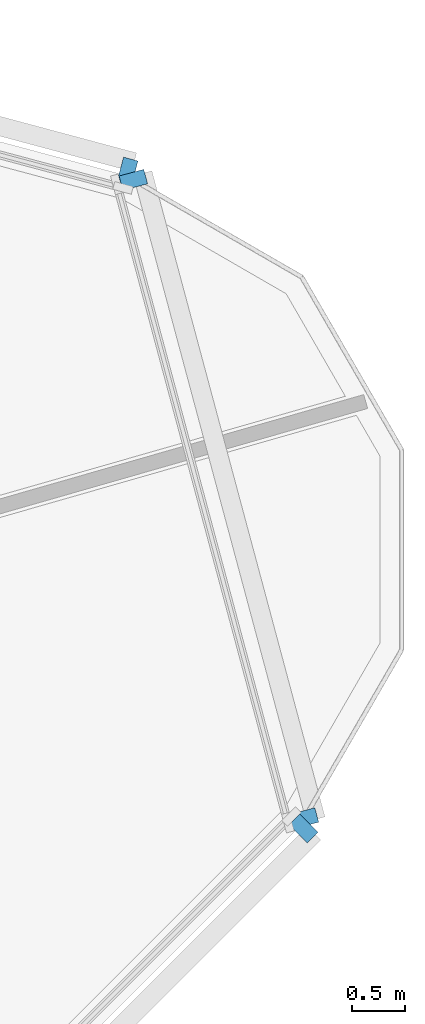
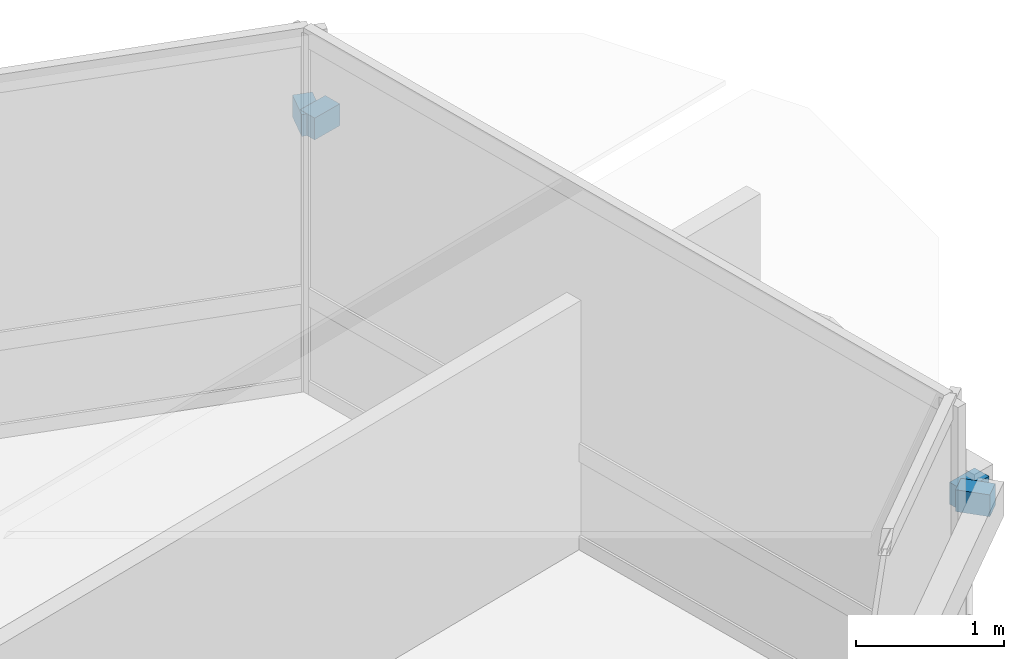
# One storey, part 11 of 15: 4 discrete accessories.
"""IFC4 building model written with IfcOpenShell, lengths in metres."""

from ifc_helpers import new_model, si_unit, direction, frame, origin, origin_2d, place, context, subcontext, project, spatial, rectangle, extrude, material, type_object, element, save


model = new_model("IFC4")

# Units and contexts
model_context = context("Model", 3, precision=1e-05, world=origin(), true_north=direction((0.0, 1.0)))
body_context = subcontext(model_context, "Body", "Model", "MODEL_VIEW")
ifc_project = project(units=[si_unit("LENGTHUNIT", "METRE"), si_unit("AREAUNIT", "SQUARE_METRE"), si_unit("VOLUMEUNIT", "CUBIC_METRE"), si_unit("PLANEANGLEUNIT", "RADIAN"), si_unit("MASSUNIT", "GRAM", prefix="KILO")], contexts=[model_context])

# Site, building, storey
site_placement = place(None, origin())
site = spatial("IfcSite", under=ifc_project, at=site_placement, CompositionType="ELEMENT")
building_placement = place(site_placement, origin())
building = spatial("IfcBuilding", under=site, at=building_placement, Name="Terralouvre Media Tower", CompositionType="ELEMENT")
storey_placement = place(building_placement, frame((0.0, 0.0, 210.10009765625)))
storey = spatial("IfcBuildingStorey", under=building, at=storey_placement, Name="L54", CompositionType="ELEMENT", Elevation=210.10009765625)

# Discrete accessories
ifc_material = material(Name="Anodised extruded aluminium 6063-T6", Category="aluminium")
discrete_accessory_type = type_object("IfcDiscreteAccessoryType", Name="Mullion Stand-Off Baguette Fixing Bracket BK-01", PredefinedType="BRACKET", material=ifc_material)
for number, where, z_axis, x_axis, name in (
    (1, (28.41552734375, 4.31298828125, 2.04931640625), (0.0, 0.0, 1.0), (0.707106781187, 0.707106781187, 0.0), "CW-L54-F0 Baguette Outrigger Bracket 1.06"),
    (2, (26.764892578125, 10.472412109375, 2.04931640625), (0.0, 0.0, 1.0), (-0.96592582942, 0.25881903342, 0.0), "CW-L54-F1 Baguette Outrigger Bracket 1.01"),
    (3, (28.42333984375, 4.4091796875, 2.04931640625), (0.0, 0.0, 1.0), (-0.258818728144, 0.965925911218, 0.0), "CW-L54-C1 Baguette Outrigger Bracket 1.01"),
    (4, (26.81982421875, 10.39306640625, 2.04931640625), (0.0, 0.0, 1.0), (-0.258818728144, 0.965925911218, 0.0), "CW-L54-C1 Baguette Outrigger Bracket 1.02"),
):
    element("IfcDiscreteAccessory", number, at=place(storey_placement, frame(where, z_axis=z_axis, x_axis=x_axis)), inside=storey, type_object=discrete_accessory_type, Name=name, PredefinedType="BRACKET", context=body_context, shape_type="SweptSolid", body=[
        extrude(rectangle(XDim=0.139892578125, YDim=0.239990234375, at=origin_2d()), origin(), (0.0, 0.0, 1.0), 0.179931640625),
    ])

save(model, "model.ifc")
